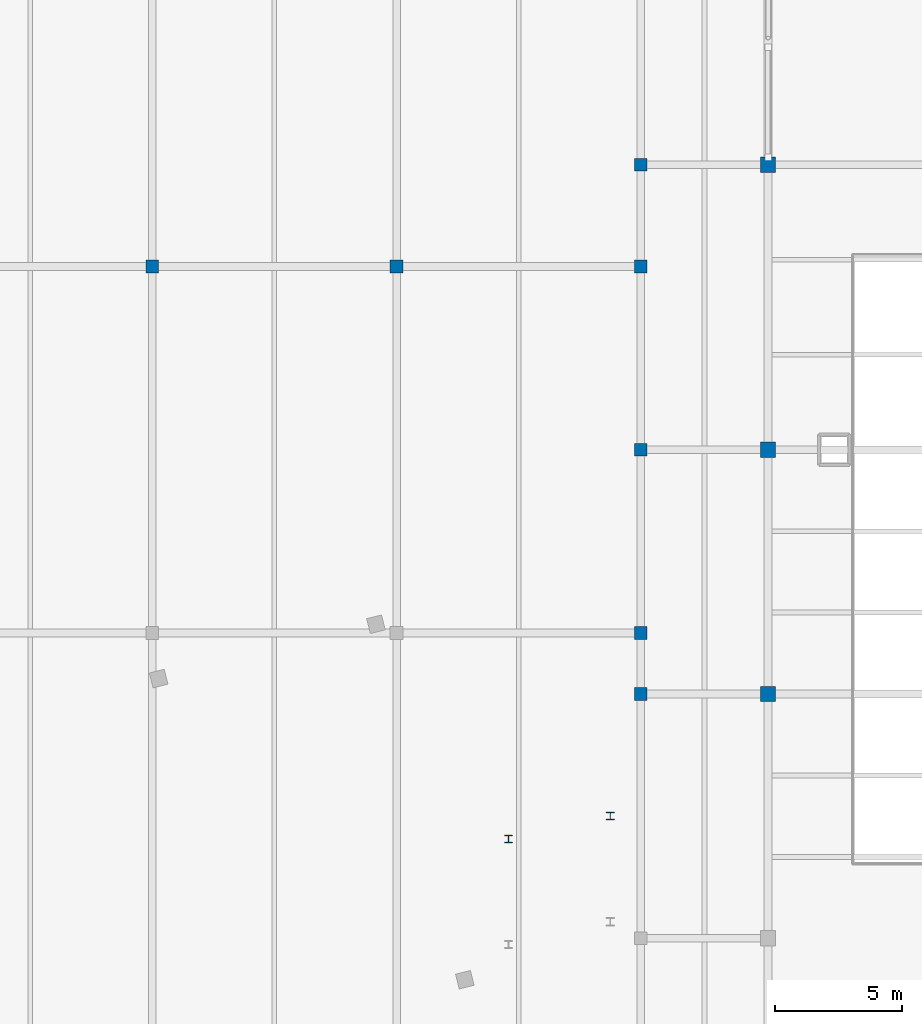
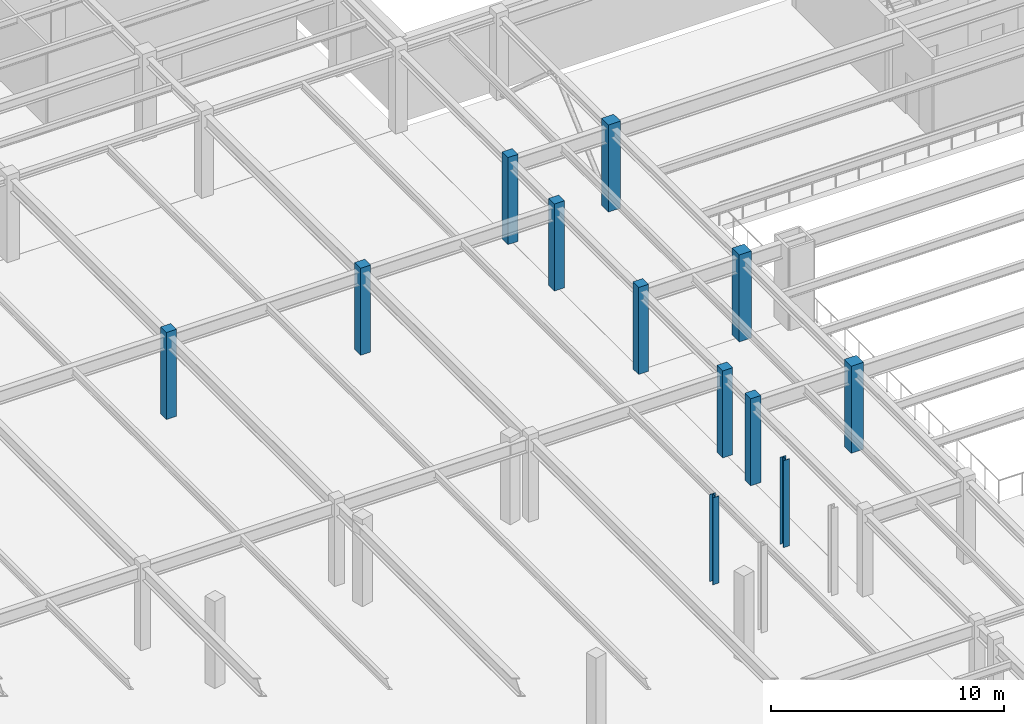
# One storey, part 7 of 32: 12 columns.
"""IFC4 building model written with IfcOpenShell, lengths in metres."""

from ifc_helpers import new_model, si_unit, direction, frame, origin, origin_2d, place, context, subcontext, project, spatial, rectangle, i_section, extrude, material, material_profile, profile_set, type_object, element, save


model = new_model("IFC4")

# Units and contexts
model_context = context("Model", 3, precision=1e-05, world=origin(), true_north=direction((0.0, 1.0)))
body_context = subcontext(model_context, "Body", "Model", "MODEL_VIEW")
ifc_project = project(units=[si_unit("LENGTHUNIT", "METRE"), si_unit("AREAUNIT", "SQUARE_METRE"), si_unit("VOLUMEUNIT", "CUBIC_METRE"), si_unit("PLANEANGLEUNIT", "RADIAN"), si_unit("MASSUNIT", "GRAM", prefix="KILO")], contexts=[model_context])

# Site, building, storey
site_placement = place(None, origin())
site = spatial("IfcSite", under=ifc_project, at=site_placement, CompositionType="ELEMENT")
building_placement = place(site_placement, origin())
building = spatial("IfcBuilding", under=site, at=building_placement, Name="Nordkorset Police Headquarters", CompositionType="ELEMENT")
storey_placement = place(building_placement, frame((0.0, 0.0, -4.550048828125)))
storey = spatial("IfcBuildingStorey", under=building, at=storey_placement, Name="B01", CompositionType="ELEMENT", Elevation=-4.550048828125)

# Columns
ifc_material_1 = material(Name="Steel S355J2", Category="steel")
ifc_material_profile_1 = material_profile(ifc_material_1, i_section(OverallWidth=0.300048828125, OverallDepth=0.300048828125, WebThickness=0.010986328125, FlangeThickness=0.01904296875, FilletRadius=0.027099609375, at=origin_2d()), Name="HEB 300")
ifc_profile_set_1 = profile_set([ifc_material_profile_1], Name="Steel S355J2")
column_type_1 = type_object("IfcColumnType", Name="Col_HEB_300", PredefinedType="COLUMN", material=ifc_profile_set_1)
for number, where, z_axis, x_axis, name in (
    (1, (81.199951171875, 61.5, 0.0), (0.0, 0.0, 1.0), (1.0, 0.0, 0.0), "Courtyard Link Bridge Column BRG_E_W1 B01"),
    (2, (85.199951171875, 62.39990234375, 0.0), (0.0, 0.0, 1.0), (1.0, 0.0, 0.0), "Courtyard Link Bridge Column BRG_E_E1 B01"),
):
    element("IfcColumn", number, at=place(storey_placement, frame(where, z_axis=z_axis, x_axis=x_axis)), inside=storey, type_object=column_type_1, Name=name, PredefinedType="COLUMN", context=body_context, shape_type="SweptSolid", body=[
        extrude(i_section(OverallWidth=0.300048828125, OverallDepth=0.300048828125, WebThickness=0.010986328125, FlangeThickness=0.01904296875, FilletRadius=0.027099609375, at=origin_2d()), origin(), (0.0, 0.0, 1.0), 4.550048828125),
    ])
ifc_material_2 = material(Name="Concrete C45/55", Category="concrete")
ifc_material_profile_2 = material_profile(ifc_material_2, rectangle(XDim=0.5, YDim=0.5, at=origin_2d()), Name="RC 500x500")
ifc_profile_set_2 = profile_set([ifc_material_profile_2], Name="Concrete C45/55")
column_type_2 = type_object("IfcColumnType", Name="Col_RC_500x500", PredefinedType="COLUMN", material=ifc_profile_set_2)
for number, where, z_axis, x_axis, name in (
    (3, (86.39990234375, 67.199951171875, 0.0), (0.0, 0.0, 1.0), (1.0, 0.0, 0.0), "Structural Column V5_X0_2 B01"),
    (4, (86.39990234375, 76.800048828125, 0.0), (0.0, 0.0, 1.0), (1.0, 0.0, 0.0), "Structural Column V5_X0_3 B01"),
    (5, (86.39990234375, 88.0, 0.0), (0.0, 0.0, 1.0), (1.0, 0.0, 0.0), "Structural Column V5_X0_4 B01"),
    (6, (67.199951171875, 84.0, 0.0), (0.0, 0.0, 1.0), (1.0, 0.0, 0.0), "Structural Column SUB_C_4_3 B01"),
    (7, (76.800048828125, 84.0, 0.0), (0.0, 0.0, 1.0), (1.0, 0.0, 0.0), "Structural Column SUB_C_5_3 B01"),
    (8, (86.39990234375, 69.60009765625, 0.0), (0.0, 0.0, 1.0), (1.0, 0.0, 0.0), "Structural Column SUB_C_6_2 B01"),
    (9, (86.39990234375, 84.0, 0.0), (0.0, 0.0, 1.0), (1.0, 0.0, 0.0), "Structural Column SUB_C_6_3 B01"),
):
    element("IfcColumn", number, at=place(storey_placement, frame(where, z_axis=z_axis, x_axis=x_axis)), inside=storey, type_object=column_type_2, Name=name, PredefinedType="COLUMN", context=body_context, shape_type="SweptSolid", body=[
        extrude(rectangle(XDim=0.5, YDim=0.5, at=origin_2d()), origin(), (0.0, 0.0, 1.0), 4.550048828125),
    ])
ifc_material_3 = material(Name="Concrete C45/55", Category="concrete")
ifc_material_profile_3 = material_profile(ifc_material_3, rectangle(XDim=0.60009765625, YDim=0.60009765625, at=origin_2d()), Name="RC 600x600")
ifc_profile_set_3 = profile_set([ifc_material_profile_3], Name="Concrete C45/55")
column_type_3 = type_object("IfcColumnType", Name="Col_RC_600x600", PredefinedType="COLUMN", material=ifc_profile_set_3)
for number, where, z_axis, x_axis, name in (
    (10, (91.39990234375, 67.199951171875, 0.0), (0.0, 0.0, 1.0), (1.0, 0.0, 0.0), "Structural Column V5_X1_2 B01"),
    (11, (91.39990234375, 76.800048828125, 0.0), (0.0, 0.0, 1.0), (1.0, 0.0, 0.0), "Structural Column V5_X1_3 B01"),
    (12, (91.39990234375, 88.0, 0.0), (0.0, 0.0, 1.0), (1.0, 0.0, 0.0), "Structural Column V5_X1_4 B01"),
):
    element("IfcColumn", number, at=place(storey_placement, frame(where, z_axis=z_axis, x_axis=x_axis)), inside=storey, type_object=column_type_3, Name=name, PredefinedType="COLUMN", context=body_context, shape_type="SweptSolid", body=[
        extrude(rectangle(XDim=0.60009765625, YDim=0.60009765625, at=origin_2d()), origin(), (0.0, 0.0, 1.0), 4.550048828125),
    ])

save(model, "model.ifc")
